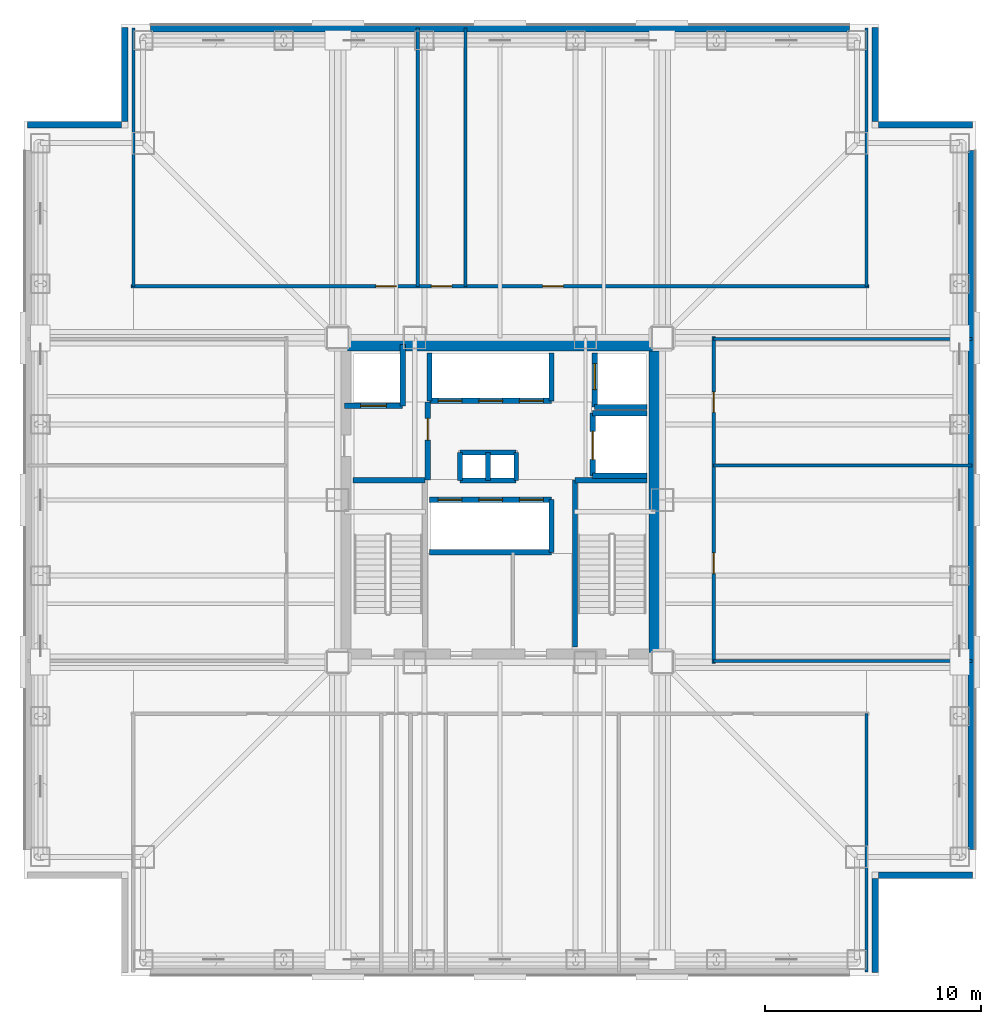
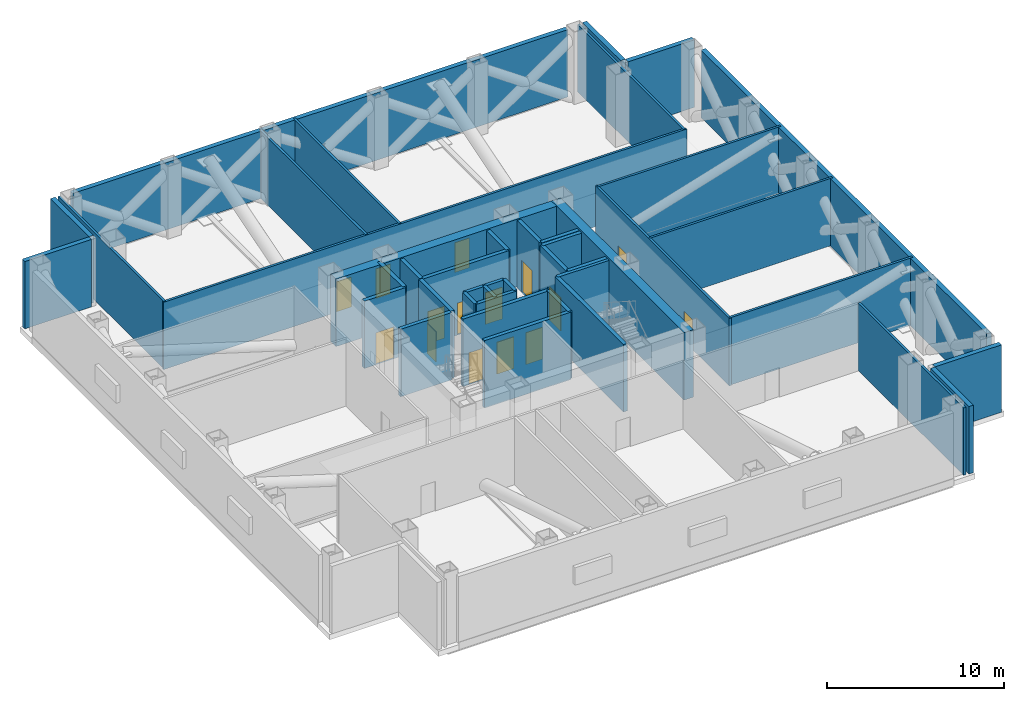
# One storey, part 4 of 8: 42 walls, 15 doors, 15 openings.
"""IFC4 building model written with IfcOpenShell, lengths in metres."""

from ifc_helpers import new_model, si_unit, direction, frame, frame_2d, origin, place, context, subcontext, project, spatial, rectangle, extrude, material, layer, layer_set, type_object, element, fill, save


model = new_model("IFC4")

# Units and contexts
model_context = context("Model", 3, precision=1e-05, world=origin(), true_north=direction((0.0, 1.0)))
body_context = subcontext(model_context, "Body", "Model", "MODEL_VIEW")
ifc_project = project(units=[si_unit("LENGTHUNIT", "METRE"), si_unit("AREAUNIT", "SQUARE_METRE"), si_unit("VOLUMEUNIT", "CUBIC_METRE"), si_unit("PLANEANGLEUNIT", "RADIAN"), si_unit("MASSUNIT", "GRAM", prefix="KILO")], contexts=[model_context])

# Site, building, storey
site_placement = place(None, origin())
site = spatial("IfcSite", under=ifc_project, at=site_placement, CompositionType="ELEMENT")
building_placement = place(site_placement, origin())
building = spatial("IfcBuilding", under=site, at=building_placement, Name="Trevonay Congress Spire", CompositionType="ELEMENT")
storey_placement = place(building_placement, frame((0.0, 0.0, 155.199951171875)))
storey = spatial("IfcBuildingStorey", under=building, at=storey_placement, Name="L40", CompositionType="ELEMENT", Elevation=155.199951171875)

# Walls
ifc_material_1 = material(Name="Concrete C60/75", Category="concrete")
ifc_layer_1 = layer(ifc_material_1, 0.60009765625, Name="Concrete C60/75")
ifc_layer_set_1 = layer_set([ifc_layer_1], Name="Concrete C60/75")
wall_type_1 = type_object("IfcWallType", Name="WAL-CORE-600", PredefinedType="SHEAR", material=ifc_layer_set_1)
for number, where, z_axis, x_axis, name in (
    (1, (-7.5, 7.199951171875, 0.0), (0.0, 0.0, 1.0), (1.0, 0.0, 0.0), "L40 North structural core shear wall"),
    (2, (7.199951171875, -7.5, 0.0), (0.0, 0.0, 1.0), (0.0, 1.0, 0.0), "L40 East structural core shear wall"),
):
    element("IfcWall", number, at=place(storey_placement, frame(where, z_axis=z_axis, x_axis=x_axis)), inside=storey, type_object=wall_type_1, Name=name, PredefinedType="SHEAR", context=body_context, shape_type="SweptSolid", body=[
        extrude(rectangle(XDim=15.0, YDim=0.60009765625, at=frame_2d((7.5, 0.0))), origin(), (0.0, 0.0, 1.0), 4.650146484375),
    ])

# Wall, openings, doors
ifc_material_2 = material(Name="Concrete C40/50", Category="concrete")
ifc_layer_2 = layer(ifc_material_2, 0.14990234375, Name="Concrete C40/50")
ifc_layer_set_2 = layer_set([ifc_layer_2], Name="Concrete C40/50")
wall_type_2 = type_object("IfcWallType", Name="WAL-CORR-150", PredefinedType="PARTITIONING", material=ifc_layer_set_2)
wall_1_placement = place(storey_placement, frame((-17.070068359375, 9.8798828125, 0.0), z_axis=(0.0, 0.0, 1.0), x_axis=(1.0, 0.0, 0.0)))
wall_1 = element("IfcWall", 3, at=wall_1_placement, inside=storey, type_object=wall_type_2, Name="L40 interior wall WP-L40N-COR", PredefinedType="PARTITIONING", context=body_context, shape_type="SweptSolid", body=[
    extrude(rectangle(XDim=34.14013671875, YDim=0.14990234375, at=frame_2d((17.070068359375, 0.0))), origin(), (0.0, 0.0, 1.0), 4.650146484375),
])
opening_1_placement = place(wall_1_placement, frame((11.324951171875, 0.0, 0.0)))
opening_1 = element("IfcOpeningElement", 4, at=opening_1_placement, cuts=wall_1, Name="Opening D07", PredefinedType="OPENING", context=body_context, shape_type="SweptSolid", body=[
    extrude(rectangle(XDim=0.949951171875, YDim=2.06005859375, at=frame_2d((0.47509765625, 1.030029296875))), frame((0.0, 0.0849609375, 0.0), z_axis=(0.0, -1.0, 0.0), x_axis=(1.0, 0.0, 0.0)), (0.0, 0.0, 1.0), 0.169921875),
])
opening_2_placement = place(wall_1_placement, frame((13.89501953125, 0.0, 0.0)))
opening_2 = element("IfcOpeningElement", 5, at=opening_2_placement, cuts=wall_1, Name="Opening D07", PredefinedType="OPENING", context=body_context, shape_type="SweptSolid", body=[
    extrude(rectangle(XDim=0.949951171875, YDim=2.06005859375, at=frame_2d((0.47509765625, 1.030029296875))), frame((0.0, 0.0849609375, 0.0), z_axis=(0.0, -1.0, 0.0), x_axis=(1.0, 0.0, 0.0)), (0.0, 0.0, 1.0), 0.169921875),
])
opening_3_placement = place(wall_1_placement, frame((19.044921875, 0.0, 0.0)))
opening_3 = element("IfcOpeningElement", 6, at=opening_3_placement, cuts=wall_1, Name="Opening D07", PredefinedType="OPENING", context=body_context, shape_type="SweptSolid", body=[
    extrude(rectangle(XDim=0.949951171875, YDim=2.06005859375, at=frame_2d((0.47509765625, 1.030029296875))), frame((0.0, 0.0849609375, 0.0), z_axis=(0.0, -1.0, 0.0), x_axis=(1.0, 0.0, 0.0)), (0.0, 0.0, 1.0), 0.169921875),
])
ifc_material_3 = material(Name="Pale Anodised Aluminium EN AW-6063-T6", Category="aluminium")
door_type_1 = type_object("IfcDoorType", Name="DOR-OFFICE-95", OperationType="NOTDEFINED", PredefinedType="DOOR", material=ifc_material_3)
door_1_placement = place(opening_1_placement, origin())
door_1 = element("IfcDoor", 7, at=door_1_placement, inside=storey, type_object=door_type_1, Name="L40 Electrical HV Transformer Room Door", OperationType="SINGLE_SWING_RIGHT", OverallHeight=2.06005859375, OverallWidth=0.949951171875, PredefinedType="DOOR", context=body_context, shape_type="SweptSolid", body=[
    extrude(rectangle(XDim=0.949951171875, YDim=2.06005859375, at=frame_2d((0.47509765625, 1.030029296875))), frame((0.0, 0.02490234375, 0.0), z_axis=(0.0, -1.0, 0.0), x_axis=(1.0, 0.0, 0.0)), (0.0, 0.0, 1.0), 0.050048828125),
])
fill(opening_1, door_1)
door_2_placement = place(opening_2_placement, origin())
door_2 = element("IfcDoor", 8, at=door_2_placement, inside=storey, type_object=door_type_1, Name="L40 Sprinkler Break-Tank and Pump Room Door", OperationType="SINGLE_SWING_LEFT", OverallHeight=2.06005859375, OverallWidth=0.949951171875, PredefinedType="DOOR", context=body_context, shape_type="SweptSolid", body=[
    extrude(rectangle(XDim=0.949951171875, YDim=2.06005859375, at=frame_2d((0.47509765625, 1.030029296875))), frame((0.0, 0.02490234375, 0.0), z_axis=(0.0, -1.0, 0.0), x_axis=(1.0, 0.0, 0.0)), (0.0, 0.0, 1.0), 0.050048828125),
])
fill(opening_2, door_2)
door_3_placement = place(opening_3_placement, origin())
door_3 = element("IfcDoor", 9, at=door_3_placement, inside=storey, type_object=door_type_1, Name="L40 Smoke Extract Plenum Room Door", OperationType="SINGLE_SWING_RIGHT", OverallHeight=2.06005859375, OverallWidth=0.949951171875, PredefinedType="DOOR", context=body_context, shape_type="SweptSolid", body=[
    extrude(rectangle(XDim=0.949951171875, YDim=2.06005859375, at=frame_2d((0.47509765625, 1.030029296875))), frame((0.0, 0.02490234375, 0.0), z_axis=(0.0, -1.0, 0.0), x_axis=(1.0, 0.0, 0.0)), (0.0, 0.0, 1.0), 0.050048828125),
])
fill(opening_3, door_3)

wall_2_placement = place(storey_placement, frame((9.8798828125, -7.570068359375, 0.0), z_axis=(0.0, 0.0, 1.0), x_axis=(0.0, 1.0, 0.0)))
wall_2 = element("IfcWall", 10, at=wall_2_placement, inside=storey, type_object=wall_type_2, Name="L40 interior wall WP-L40E-COR", PredefinedType="PARTITIONING", context=body_context, shape_type="SweptSolid", body=[
    extrude(rectangle(XDim=15.14013671875, YDim=0.14990234375, at=frame_2d((7.570068359375, 0.0))), origin(), (0.0, 0.0, 1.0), 4.650146484375),
])
opening_4_placement = place(wall_2_placement, frame((4.169921875, 0.0, 0.0)))
opening_4 = element("IfcOpeningElement", 11, at=opening_4_placement, cuts=wall_2, Name="Opening D07", PredefinedType="OPENING", context=body_context, shape_type="SweptSolid", body=[
    extrude(rectangle(XDim=0.949951171875, YDim=2.06005859375, at=frame_2d((0.47509765625, 1.030029296875))), frame((0.0, 0.0849609375, 0.0), z_axis=(0.0, -1.0, 0.0), x_axis=(1.0, 0.0, 0.0)), (0.0, 0.0, 1.0), 0.169921875),
])
opening_5_placement = place(wall_2_placement, frame((11.6201171875, 0.0, 0.0)))
opening_5 = element("IfcOpeningElement", 12, at=opening_5_placement, cuts=wall_2, Name="Opening D07", PredefinedType="OPENING", context=body_context, shape_type="SweptSolid", body=[
    extrude(rectangle(XDim=0.949951171875, YDim=2.06005859375, at=frame_2d((0.47509765625, 1.030029296875))), frame((0.0, 0.0849609375, 0.0), z_axis=(0.0, -1.0, 0.0), x_axis=(1.0, 0.0, 0.0)), (0.0, 0.0, 1.0), 0.169921875),
])
door_4_placement = place(opening_4_placement, origin())
door_4 = element("IfcDoor", 13, at=door_4_placement, inside=storey, type_object=door_type_1, Name="L40 Refuge Area East Door", OperationType="SINGLE_SWING_LEFT", OverallHeight=2.06005859375, OverallWidth=0.949951171875, PredefinedType="DOOR", context=body_context, shape_type="SweptSolid", body=[
    extrude(rectangle(XDim=0.949951171875, YDim=2.06005859375, at=frame_2d((0.47509765625, 1.030029296875))), frame((0.0, 0.02490234375, 0.0), z_axis=(0.0, -1.0, 0.0), x_axis=(1.0, 0.0, 0.0)), (0.0, 0.0, 1.0), 0.050048828125),
])
fill(opening_4, door_4)
door_5_placement = place(opening_5_placement, origin())
door_5 = element("IfcDoor", 14, at=door_5_placement, inside=storey, type_object=door_type_1, Name="L40 Domestic Water Booster Room Door", OperationType="SINGLE_SWING_RIGHT", OverallHeight=2.06005859375, OverallWidth=0.949951171875, PredefinedType="DOOR", context=body_context, shape_type="SweptSolid", body=[
    extrude(rectangle(XDim=0.949951171875, YDim=2.06005859375, at=frame_2d((0.47509765625, 1.030029296875))), frame((0.0, 0.02490234375, 0.0), z_axis=(0.0, -1.0, 0.0), x_axis=(1.0, 0.0, 0.0)), (0.0, 0.0, 1.0), 0.050048828125),
])
fill(opening_5, door_5)

# Walls
ifc_material_4 = material(Name="Precast concrete C40/50", Category="concrete")
ifc_layer_3 = layer(ifc_material_4, 0.300048828125, Name="Precast concrete C40/50")
ifc_layer_set_3 = layer_set([ifc_layer_3], Name="Precast concrete C40/50")
wall_type_3 = type_object("IfcWallType", Name="WAL-EXT-PRECAST-300", PredefinedType="SOLIDWALL", material=ifc_layer_set_3)
for number, where, z_axis, x_axis, name in (
    (15, (-16.14990234375, 21.800048828125, 0.0), (0.0, 0.0, 1.0), (1.0, 0.0, 0.0), "L40 N outrigger plant backup wall"),
    (16, (21.800048828125, -16.14990234375, 0.0), (0.0, 0.0, 1.0), (0.0, 1.0, 0.0), "L40 E outrigger plant backup wall"),
):
    element("IfcWall", number, at=place(storey_placement, frame(where, z_axis=z_axis, x_axis=x_axis)), inside=storey, type_object=wall_type_3, Name=name, PredefinedType="SOLIDWALL", context=body_context, shape_type="SweptSolid", body=[
        extrude(rectangle(XDim=32.2998046875, YDim=0.300048828125, at=frame_2d((16.14990234375, 0.0))), origin(), (0.0, 0.0, 1.0), 4.650146484375),
    ])
for number, where, z_axis, x_axis, name in (
    (17, (17.35009765625, -21.85009765625, 0.0), (0.0, 0.0, 1.0), (0.0, 1.0, 0.0), "L40 SE plant notch wall 1"),
    (18, (21.85009765625, -17.35009765625, 0.0), (0.0, 0.0, 1.0), (-1.0, 0.0, 0.0), "L40 SE plant notch wall 2"),
    (19, (17.35009765625, 21.85009765625, 0.0), (0.0, 0.0, 1.0), (0.0, -1.0, 0.0), "L40 NE plant notch wall 1"),
    (20, (21.85009765625, 17.35009765625, 0.0), (0.0, 0.0, 1.0), (-1.0, 0.0, 0.0), "L40 NE plant notch wall 2"),
    (21, (-17.35009765625, 21.85009765625, 0.0), (0.0, 0.0, 1.0), (0.0, -1.0, 0.0), "L40 NW plant notch wall 1"),
    (22, (-21.85009765625, 17.35009765625, 0.0), (0.0, 0.0, 1.0), (1.0, 0.0, 0.0), "L40 NW plant notch wall 2"),
):
    element("IfcWall", number, at=place(storey_placement, frame(where, z_axis=z_axis, x_axis=x_axis)), inside=storey, type_object=wall_type_3, Name=name, PredefinedType="SOLIDWALL", context=body_context, shape_type="SweptSolid", body=[
        extrude(rectangle(XDim=4.35009765625, YDim=0.300048828125, at=frame_2d((2.175048828125, 0.0))), origin(), (0.0, 0.0, 1.0), 4.650146484375),
    ])
ifc_layer_4 = layer(ifc_material_2, 0.14990234375, Name="Concrete C40/50")
ifc_layer_set_4 = layer_set([ifc_layer_4], Name="Concrete C40/50")
wall_type_4 = type_object("IfcWallType", Name="WAL-PART-150", PredefinedType="PARTITIONING", material=ifc_layer_set_4)
for number, where, z_axis, x_axis, name in (
    (23, (16.949951171875, -21.820068359375, 0.0), (0.0, 0.0, 1.0), (0.0, 1.0, 0.0), "L40 interior wall WP-L40S-DIV5"),
    (24, (-16.949951171875, 9.8798828125, 0.0), (0.0, 0.0, 1.0), (0.0, 1.0, 0.0), "L40 interior wall WP-L40N-DIV1"),
    (25, (-3.800048828125, 9.8798828125, 0.0), (0.0, 0.0, 1.0), (0.0, 1.0, 0.0), "L40 interior wall WP-L40N-DIV2"),
    (26, (-1.60009765625, 9.8798828125, 0.0), (0.0, 0.0, 1.0), (0.0, 1.0, 0.0), "L40 interior wall WP-L40N-DIV3"),
    (27, (16.949951171875, 9.8798828125, 0.0), (0.0, 0.0, 1.0), (0.0, 1.0, 0.0), "L40 interior wall WP-L40N-DIV4"),
    (28, (9.8798828125, -7.449951171875, 0.0), (0.0, 0.0, 1.0), (1.0, 0.0, 0.0), "L40 interior wall WP-L40E-DIV1"),
    (29, (9.8798828125, 1.60009765625, 0.0), (0.0, 0.0, 1.0), (1.0, 0.0, 0.0), "L40 interior wall WP-L40E-DIV2"),
    (30, (9.8798828125, 7.449951171875, 0.0), (0.0, 0.0, 1.0), (1.0, 0.0, 0.0), "L40 interior wall WP-L40E-DIV3"),
):
    element("IfcWall", number, at=place(storey_placement, frame(where, z_axis=z_axis, x_axis=x_axis)), inside=storey, type_object=wall_type_4, Name=name, PredefinedType="PARTITIONING", context=body_context, shape_type="SweptSolid", body=[
        extrude(rectangle(XDim=11.940185546875, YDim=0.14990234375, at=frame_2d((5.97021484375, 0.0))), origin(), (0.0, 0.0, 1.0), 4.650146484375),
    ])
ifc_layer_5 = layer(ifc_material_2, 0.219970703125, Name="Concrete C40/50")
ifc_layer_set_5 = layer_set([ifc_layer_5], Name="Concrete C40/50")
wall_type_5 = type_object("IfcWallType", Name="WAL-SHAFT-220", PredefinedType="PARTITIONING", material=ifc_layer_set_5)
for number, where, z_axis, x_axis, name in (
    (31, (-1.85009765625, 2.199951171875, 0.0), (0.0, 0.0, 1.0), (1.0, 0.0, 0.0), "L40 interior shaft wall WSH-L40-RSR-N"),
    (32, (-1.85009765625, 0.89990234375, 0.0), (0.0, 0.0, 1.0), (1.0, 0.0, 0.0), "L40 interior shaft wall WSH-L40-RSR-S"),
):
    element("IfcWall", number, at=place(storey_placement, frame(where, z_axis=z_axis, x_axis=x_axis)), inside=storey, type_object=wall_type_5, Name=name, PredefinedType="PARTITIONING", context=body_context, shape_type="SweptSolid", body=[
        extrude(rectangle(XDim=2.60009765625, YDim=0.219970703125, at=frame_2d((1.300048828125, 0.0))), origin(), (0.0, 0.0, 1.0), 4.650146484375),
    ])
for number, where, z_axis, x_axis, name in (
    (33, (-0.550048828125, 0.89990234375, 0.0), (0.0, 0.0, 1.0), (0.0, 1.0, 0.0), "L40 interior shaft wall WSH-L40-RSR-M"),
    (34, (0.75, 0.89990234375, 0.0), (0.0, 0.0, 1.0), (0.0, 1.0, 0.0), "L40 interior shaft wall WSH-L40-RSR-E"),
    (35, (-1.85009765625, 0.89990234375, 0.0), (0.0, 0.0, 1.0), (0.0, 1.0, 0.0), "L40 interior shaft wall WSH-L40-RSR-W"),
):
    element("IfcWall", number, at=place(storey_placement, frame(where, z_axis=z_axis, x_axis=x_axis)), inside=storey, type_object=wall_type_5, Name=name, PredefinedType="PARTITIONING", context=body_context, shape_type="SweptSolid", body=[
        extrude(rectangle(XDim=1.300048828125, YDim=0.219970703125, at=frame_2d((0.64990234375, 0.0))), origin(), (0.0, 0.0, 1.0), 4.650146484375),
    ])

# Wall, openings, doors
ifc_layer_6 = layer(ifc_material_2, 0.25, Name="Concrete C40/50")
ifc_layer_set_6 = layer_set([ifc_layer_6], Name="Concrete C40/50")
wall_type_6 = type_object("IfcWallType", Name="WAL-SHAFT-250", PredefinedType="SHEAR", material=ifc_layer_set_6)
wall_3_placement = place(storey_placement, frame((-3.260009765625, 0.02001953125, 0.0), z_axis=(0.0, 0.0, 1.0), x_axis=(1.0, 0.0, 0.0)))
wall_3 = element("IfcWall", 36, at=wall_3_placement, inside=storey, type_object=wall_type_6, Name="L40 interior shaft wall WSH-L40-B2-N", PredefinedType="SHEAR", context=body_context, shape_type="SweptSolid", body=[
    extrude(rectangle(XDim=5.639892578125, YDim=0.25, at=frame_2d((2.81982421875, 0.0))), origin(), (0.0, 0.0, 1.0), 4.650146484375),
])
opening_6_placement = place(wall_3_placement, frame((0.39990234375, 0.0, 0.0)))
opening_6 = element("IfcOpeningElement", 37, at=opening_6_placement, cuts=wall_3, Name="Opening LD02", PredefinedType="OPENING", context=body_context, shape_type="SweptSolid", body=[
    extrude(rectangle(XDim=1.10009765625, YDim=2.199951171875, at=frame_2d((0.550048828125, 1.10009765625))), frame((0.0, 0.135009765625, 0.0), z_axis=(0.0, -1.0, 0.0), x_axis=(1.0, 0.0, 0.0)), (0.0, 0.0, 1.0), 0.27001953125),
])
opening_7_placement = place(wall_3_placement, frame((2.280029296875, 0.0, 0.0)))
opening_7 = element("IfcOpeningElement", 38, at=opening_7_placement, cuts=wall_3, Name="Opening LD02", PredefinedType="OPENING", context=body_context, shape_type="SweptSolid", body=[
    extrude(rectangle(XDim=1.10009765625, YDim=2.199951171875, at=frame_2d((0.550048828125, 1.10009765625))), frame((0.0, 0.135009765625, 0.0), z_axis=(0.0, -1.0, 0.0), x_axis=(1.0, 0.0, 0.0)), (0.0, 0.0, 1.0), 0.27001953125),
])
opening_8_placement = place(wall_3_placement, frame((4.159912109375, 0.0, 0.0)))
opening_8 = element("IfcOpeningElement", 39, at=opening_8_placement, cuts=wall_3, Name="Opening LD02", PredefinedType="OPENING", context=body_context, shape_type="SweptSolid", body=[
    extrude(rectangle(XDim=1.10009765625, YDim=2.199951171875, at=frame_2d((0.550048828125, 1.10009765625))), frame((0.0, 0.135009765625, 0.0), z_axis=(0.0, -1.0, 0.0), x_axis=(1.0, 0.0, 0.0)), (0.0, 0.0, 1.0), 0.27001953125),
])
door_type_2 = type_object("IfcDoorType", Name="DOR-LIFT-LD02", OperationType="DOUBLE_DOOR_SLIDING", PredefinedType="DOOR", material=ifc_material_3)
door_6_placement = place(opening_6_placement, origin())
door_6 = element("IfcDoor", 40, at=door_6_placement, inside=storey, type_object=door_type_2, Name="L40 Passenger lift PL-04 landing door", OperationType="DOUBLE_DOOR_SLIDING", OverallHeight=2.199951171875, OverallWidth=1.10009765625, PredefinedType="DOOR", context=body_context, shape_type="SweptSolid", body=[
    extrude(rectangle(XDim=1.10009765625, YDim=2.199951171875, at=frame_2d((0.550048828125, 1.10009765625))), frame((0.0, 0.02490234375, 0.0), z_axis=(0.0, -1.0, 0.0), x_axis=(1.0, 0.0, 0.0)), (0.0, 0.0, 1.0), 0.050048828125),
])
fill(opening_6, door_6)
door_7_placement = place(opening_7_placement, origin())
door_7 = element("IfcDoor", 41, at=door_7_placement, inside=storey, type_object=door_type_2, Name="L40 Passenger lift PL-05 landing door", OperationType="DOUBLE_DOOR_SLIDING", OverallHeight=2.199951171875, OverallWidth=1.10009765625, PredefinedType="DOOR", context=body_context, shape_type="SweptSolid", body=[
    extrude(rectangle(XDim=1.10009765625, YDim=2.199951171875, at=frame_2d((0.550048828125, 1.10009765625))), frame((0.0, 0.02490234375, 0.0), z_axis=(0.0, -1.0, 0.0), x_axis=(1.0, 0.0, 0.0)), (0.0, 0.0, 1.0), 0.050048828125),
])
fill(opening_7, door_7)
door_8_placement = place(opening_8_placement, origin())
door_8 = element("IfcDoor", 42, at=door_8_placement, inside=storey, type_object=door_type_2, Name="L40 Passenger lift PL-06 landing door", OperationType="DOUBLE_DOOR_SLIDING", OverallHeight=2.199951171875, OverallWidth=1.10009765625, PredefinedType="DOOR", context=body_context, shape_type="SweptSolid", body=[
    extrude(rectangle(XDim=1.10009765625, YDim=2.199951171875, at=frame_2d((0.550048828125, 1.10009765625))), frame((0.0, 0.02490234375, 0.0), z_axis=(0.0, -1.0, 0.0), x_axis=(1.0, 0.0, 0.0)), (0.0, 0.0, 1.0), 0.050048828125),
])
fill(opening_8, door_8)

# Walls
wall_4_placement = place(storey_placement, frame((-3.260009765625, -2.419921875, 0.0), z_axis=(0.0, 0.0, 1.0), x_axis=(1.0, 0.0, 0.0)))
element("IfcWall", 43, at=wall_4_placement, inside=storey, type_object=wall_type_6, Name="L40 interior shaft wall WSH-L40-B2-S", PredefinedType="SHEAR", context=body_context, shape_type="SweptSolid", body=[
    extrude(rectangle(XDim=5.639892578125, YDim=0.25, at=frame_2d((2.81982421875, 0.0))), origin(), (0.0, 0.0, 1.0), 4.650146484375),
])
wall_5_placement = place(storey_placement, frame((2.3798828125, -2.419921875, 0.0), z_axis=(0.0, 0.0, 1.0), x_axis=(0.0, 1.0, 0.0)))
element("IfcWall", 44, at=wall_5_placement, inside=storey, type_object=wall_type_6, Name="L40 interior shaft wall WSH-L40-B2-E", PredefinedType="SHEAR", context=body_context, shape_type="SweptSolid", body=[
    extrude(rectangle(XDim=2.43994140625, YDim=0.25, at=frame_2d((1.219970703125, 0.0))), origin(), (0.0, 0.0, 1.0), 4.650146484375),
])

# Wall, openings, doors
wall_6_placement = place(storey_placement, frame((-3.260009765625, 4.580078125, 0.0), z_axis=(0.0, 0.0, 1.0), x_axis=(1.0, 0.0, 0.0)))
wall_6 = element("IfcWall", 45, at=wall_6_placement, inside=storey, type_object=wall_type_6, Name="L40 interior shaft wall WSH-L40-B3-S", PredefinedType="SHEAR", context=body_context, shape_type="SweptSolid", body=[
    extrude(rectangle(XDim=5.639892578125, YDim=0.25, at=frame_2d((2.81982421875, 0.0))), origin(), (0.0, 0.0, 1.0), 4.650146484375),
])
opening_9_placement = place(wall_6_placement, frame((0.39990234375, 0.0, 0.0)))
opening_9 = element("IfcOpeningElement", 46, at=opening_9_placement, cuts=wall_6, Name="Opening LD03", PredefinedType="OPENING", context=body_context, shape_type="SweptSolid", body=[
    extrude(rectangle(XDim=1.10009765625, YDim=2.199951171875, at=frame_2d((0.550048828125, 1.10009765625))), frame((0.0, 0.135009765625, 0.0), z_axis=(0.0, -1.0, 0.0), x_axis=(1.0, 0.0, 0.0)), (0.0, 0.0, 1.0), 0.27001953125),
])
opening_10_placement = place(wall_6_placement, frame((2.280029296875, 0.0, 0.0)))
opening_10 = element("IfcOpeningElement", 47, at=opening_10_placement, cuts=wall_6, Name="Opening LD03", PredefinedType="OPENING", context=body_context, shape_type="SweptSolid", body=[
    extrude(rectangle(XDim=1.10009765625, YDim=2.199951171875, at=frame_2d((0.550048828125, 1.10009765625))), frame((0.0, 0.135009765625, 0.0), z_axis=(0.0, -1.0, 0.0), x_axis=(1.0, 0.0, 0.0)), (0.0, 0.0, 1.0), 0.27001953125),
])
opening_11_placement = place(wall_6_placement, frame((4.159912109375, 0.0, 0.0)))
opening_11 = element("IfcOpeningElement", 48, at=opening_11_placement, cuts=wall_6, Name="Opening LD03", PredefinedType="OPENING", context=body_context, shape_type="SweptSolid", body=[
    extrude(rectangle(XDim=1.10009765625, YDim=2.199951171875, at=frame_2d((0.550048828125, 1.10009765625))), frame((0.0, 0.135009765625, 0.0), z_axis=(0.0, -1.0, 0.0), x_axis=(1.0, 0.0, 0.0)), (0.0, 0.0, 1.0), 0.27001953125),
])
door_type_3 = type_object("IfcDoorType", Name="DOR-LIFT-LD03", OperationType="DOUBLE_DOOR_SLIDING", PredefinedType="DOOR", material=ifc_material_3)
door_9_placement = place(opening_9_placement, origin())
door_9 = element("IfcDoor", 49, at=door_9_placement, inside=storey, type_object=door_type_3, Name="L40 Passenger lift PL-07 landing door", OperationType="DOUBLE_DOOR_SLIDING", OverallHeight=2.199951171875, OverallWidth=1.10009765625, PredefinedType="DOOR", context=body_context, shape_type="SweptSolid", body=[
    extrude(rectangle(XDim=1.10009765625, YDim=2.199951171875, at=frame_2d((0.550048828125, 1.10009765625))), frame((0.0, 0.02490234375, 0.0), z_axis=(0.0, -1.0, 0.0), x_axis=(1.0, 0.0, 0.0)), (0.0, 0.0, 1.0), 0.050048828125),
])
fill(opening_9, door_9)
door_10_placement = place(opening_10_placement, origin())
door_10 = element("IfcDoor", 50, at=door_10_placement, inside=storey, type_object=door_type_3, Name="L40 Passenger lift PL-08 landing door", OperationType="DOUBLE_DOOR_SLIDING", OverallHeight=2.199951171875, OverallWidth=1.10009765625, PredefinedType="DOOR", context=body_context, shape_type="SweptSolid", body=[
    extrude(rectangle(XDim=1.10009765625, YDim=2.199951171875, at=frame_2d((0.550048828125, 1.10009765625))), frame((0.0, 0.02490234375, 0.0), z_axis=(0.0, -1.0, 0.0), x_axis=(1.0, 0.0, 0.0)), (0.0, 0.0, 1.0), 0.050048828125),
])
fill(opening_10, door_10)
door_11_placement = place(opening_11_placement, origin())
door_11 = element("IfcDoor", 51, at=door_11_placement, inside=storey, type_object=door_type_3, Name="L40 Passenger lift PL-09 landing door", OperationType="DOUBLE_DOOR_SLIDING", OverallHeight=2.199951171875, OverallWidth=1.10009765625, PredefinedType="DOOR", context=body_context, shape_type="SweptSolid", body=[
    extrude(rectangle(XDim=1.10009765625, YDim=2.199951171875, at=frame_2d((0.550048828125, 1.10009765625))), frame((0.0, 0.02490234375, 0.0), z_axis=(0.0, -1.0, 0.0), x_axis=(1.0, 0.0, 0.0)), (0.0, 0.0, 1.0), 0.050048828125),
])
fill(opening_11, door_11)

# Walls
for number, where, z_axis, x_axis, name in (
    (52, (-3.260009765625, 4.580078125, 0.0), (0.0, 0.0, 1.0), (0.0, 1.0, 0.0), "L40 interior shaft wall WSH-L40-B3-W"),
    (53, (2.3798828125, 4.580078125, 0.0), (0.0, 0.0, 1.0), (0.0, 1.0, 0.0), "L40 interior shaft wall WSH-L40-B3-E"),
):
    element("IfcWall", number, at=place(storey_placement, frame(where, z_axis=z_axis, x_axis=x_axis)), inside=storey, type_object=wall_type_6, Name=name, PredefinedType="SHEAR", context=body_context, shape_type="SweptSolid", body=[
        extrude(rectangle(XDim=2.219970703125, YDim=0.25, at=frame_2d((1.10986328125, 0.0))), origin(), (0.0, 0.0, 1.0), 4.650146484375),
    ])

# Wall, opening, door
wall_7_placement = place(storey_placement, frame((-7.199951171875, 4.35009765625, 0.0), z_axis=(0.0, 0.0, 1.0), x_axis=(1.0, 0.0, 0.0)))
wall_7 = element("IfcWall", 54, at=wall_7_placement, inside=storey, type_object=wall_type_6, Name="L40 interior shaft wall WSH-L40-FF1-S", PredefinedType="SHEAR", context=body_context, shape_type="SweptSolid", body=[
    extrude(rectangle(XDim=2.699951171875, YDim=0.25, at=frame_2d((1.35009765625, 0.0))), origin(), (0.0, 0.0, 1.0), 4.650146484375),
])
opening_12_placement = place(wall_7_placement, frame((0.75, 0.0, 0.0)))
opening_12 = element("IfcOpeningElement", 55, at=opening_12_placement, cuts=wall_7, Name="Opening LD04", PredefinedType="OPENING", context=body_context, shape_type="SweptSolid", body=[
    extrude(rectangle(XDim=1.199951171875, YDim=2.199951171875, at=frame_2d((0.60009765625, 1.10009765625))), frame((0.0, 0.135009765625, 0.0), z_axis=(0.0, -1.0, 0.0), x_axis=(1.0, 0.0, 0.0)), (0.0, 0.0, 1.0), 0.27001953125),
])
ifc_material_5 = material(Name="Steel ASTM A572 Grade 50", Category="steel")
door_type_4 = type_object("IfcDoorType", Name="DOR-LIFT-LD04", OperationType="DOUBLE_DOOR_SLIDING", PredefinedType="DOOR", material=ifc_material_5)
door_12_placement = place(opening_12_placement, origin())
door_12 = element("IfcDoor", 56, at=door_12_placement, inside=storey, type_object=door_type_4, Name="L40 Firefighting lift FFL-01 landing door", OperationType="DOUBLE_DOOR_SLIDING", OverallHeight=2.199951171875, OverallWidth=1.199951171875, PredefinedType="DOOR", context=body_context, shape_type="SweptSolid", body=[
    extrude(rectangle(XDim=1.199951171875, YDim=2.199951171875, at=frame_2d((0.60009765625, 1.10009765625))), frame((0.0, 0.02490234375, 0.0), z_axis=(0.0, -1.0, 0.0), x_axis=(1.0, 0.0, 0.0)), (0.0, 0.0, 1.0), 0.050048828125),
])
fill(opening_12, door_12)

# Walls
wall_8_placement = place(storey_placement, frame((-4.5, 4.35009765625, 0.0), z_axis=(0.0, 0.0, 1.0), x_axis=(0.0, 1.0, 0.0)))
element("IfcWall", 57, at=wall_8_placement, inside=storey, type_object=wall_type_6, Name="L40 interior shaft wall WSH-L40-FF1-E", PredefinedType="SHEAR", context=body_context, shape_type="SweptSolid", body=[
    extrude(rectangle(XDim=2.849853515625, YDim=0.25, at=frame_2d((1.4248046875, 0.0))), origin(), (0.0, 0.0, 1.0), 4.650146484375),
])
wall_9_placement = place(storey_placement, frame((4.3798828125, 4.300048828125, 0.0), z_axis=(0.0, 0.0, 1.0), x_axis=(1.0, 0.0, 0.0)))
element("IfcWall", 58, at=wall_9_placement, inside=storey, type_object=wall_type_6, Name="L40 interior shaft wall WSH-L40-FF2-S", PredefinedType="SHEAR", context=body_context, shape_type="SweptSolid", body=[
    extrude(rectangle(XDim=2.420166015625, YDim=0.25, at=frame_2d((1.2099609375, 0.0))), origin(), (0.0, 0.0, 1.0), 4.650146484375),
])

# Wall, opening, door
wall_10_placement = place(storey_placement, frame((4.3798828125, 4.300048828125, 0.0), z_axis=(0.0, 0.0, 1.0), x_axis=(0.0, 1.0, 0.0)))
wall_10 = element("IfcWall", 59, at=wall_10_placement, inside=storey, type_object=wall_type_6, Name="L40 interior shaft wall WSH-L40-FF2-W", PredefinedType="SHEAR", context=body_context, shape_type="SweptSolid", body=[
    extrude(rectangle(XDim=2.5, YDim=0.25, at=frame_2d((1.25, 0.0))), origin(), (0.0, 0.0, 1.0), 4.650146484375),
])
opening_13_placement = place(wall_10_placement, frame((0.800048828125, 0.0, 0.0)))
opening_13 = element("IfcOpeningElement", 60, at=opening_13_placement, cuts=wall_10, Name="Opening LD04", PredefinedType="OPENING", context=body_context, shape_type="SweptSolid", body=[
    extrude(rectangle(XDim=1.199951171875, YDim=2.199951171875, at=frame_2d((0.60009765625, 1.10009765625))), frame((0.0, 0.135009765625, 0.0), z_axis=(0.0, -1.0, 0.0), x_axis=(1.0, 0.0, 0.0)), (0.0, 0.0, 1.0), 0.27001953125),
])
door_13_placement = place(opening_13_placement, origin())
door_13 = element("IfcDoor", 61, at=door_13_placement, inside=storey, type_object=door_type_4, Name="L40 Firefighting lift FFL-02 landing door", OperationType="DOUBLE_DOOR_SLIDING", OverallHeight=2.199951171875, OverallWidth=1.199951171875, PredefinedType="DOOR", context=body_context, shape_type="SweptSolid", body=[
    extrude(rectangle(XDim=1.199951171875, YDim=2.199951171875, at=frame_2d((0.60009765625, 1.10009765625))), frame((0.0, 0.02490234375, 0.0), z_axis=(0.0, -1.0, 0.0), x_axis=(1.0, 0.0, 0.0)), (0.0, 0.0, 1.0), 0.050048828125),
])
fill(opening_13, door_13)

wall_11_placement = place(storey_placement, frame((4.280029296875, 1.1201171875, 0.0), z_axis=(0.0, 0.0, 1.0), x_axis=(0.0, 1.0, 0.0)))
wall_11 = element("IfcWall", 62, at=wall_11_placement, inside=storey, type_object=wall_type_6, Name="L40 interior shaft wall WSH-L40-SV-W", PredefinedType="SHEAR", context=body_context, shape_type="SweptSolid", body=[
    extrude(rectangle(XDim=2.89990234375, YDim=0.25, at=frame_2d((1.449951171875, 0.0))), origin(), (0.0, 0.0, 1.0), 4.650146484375),
])
opening_14_placement = place(wall_11_placement, frame((0.75, 0.0, 0.0)))
opening_14 = element("IfcOpeningElement", 63, at=opening_14_placement, cuts=wall_11, Name="Opening LD05", PredefinedType="OPENING", context=body_context, shape_type="SweptSolid", body=[
    extrude(rectangle(XDim=1.300048828125, YDim=2.300048828125, at=frame_2d((0.64990234375, 1.14990234375))), frame((0.0, 0.135009765625, 0.0), z_axis=(0.0, -1.0, 0.0), x_axis=(1.0, 0.0, 0.0)), (0.0, 0.0, 1.0), 0.27001953125),
])
door_type_5 = type_object("IfcDoorType", Name="DOR-LIFT-LD05", OperationType="DOUBLE_DOOR_SLIDING", PredefinedType="DOOR", material=ifc_material_5)
door_14_placement = place(opening_14_placement, origin())
door_14 = element("IfcDoor", 64, at=door_14_placement, inside=storey, type_object=door_type_5, Name="L40 Goods lift SVL-01 landing door", OperationType="DOUBLE_DOOR_SLIDING", OverallHeight=2.300048828125, OverallWidth=1.300048828125, PredefinedType="DOOR", context=body_context, shape_type="SweptSolid", body=[
    extrude(rectangle(XDim=1.300048828125, YDim=2.300048828125, at=frame_2d((0.64990234375, 1.14990234375))), frame((0.0, 0.02490234375, 0.0), z_axis=(0.0, -1.0, 0.0), x_axis=(1.0, 0.0, 0.0)), (0.0, 0.0, 1.0), 0.050048828125),
])
fill(opening_14, door_14)

# Walls
for number, where, z_axis, x_axis, name in (
    (65, (4.280029296875, 1.1201171875, 0.0), (0.0, 0.0, 1.0), (1.0, 0.0, 0.0), "L40 interior shaft wall WSH-L40-SV-S"),
    (66, (4.280029296875, 4.02001953125, 0.0), (0.0, 0.0, 1.0), (1.0, 0.0, 0.0), "L40 interior shaft wall WSH-L40-SV-N"),
):
    element("IfcWall", number, at=place(storey_placement, frame(where, z_axis=z_axis, x_axis=x_axis)), inside=storey, type_object=wall_type_6, Name=name, PredefinedType="SHEAR", context=body_context, shape_type="SweptSolid", body=[
        extrude(rectangle(XDim=2.52001953125, YDim=0.25, at=frame_2d((1.260009765625, 0.0))), origin(), (0.0, 0.0, 1.0), 4.650146484375),
    ])

# Wall, opening, door
wall_12_placement = place(storey_placement, frame((-3.35009765625, 0.919921875, 0.0), z_axis=(0.0, 0.0, 1.0), x_axis=(0.0, 1.0, 0.0)))
wall_12 = element("IfcWall", 67, at=wall_12_placement, inside=storey, type_object=wall_type_6, Name="L40 interior wall CW-FFLW-E-L40", PredefinedType="SHEAR", context=body_context, shape_type="SweptSolid", body=[
    extrude(rectangle(XDim=3.6201171875, YDim=0.25, at=frame_2d((1.81005859375, 0.0))), origin(), (0.0, 0.0, 1.0), 4.650146484375),
])
opening_15_placement = place(wall_12_placement, frame((1.85009765625, 0.0, 0.0)))
opening_15 = element("IfcOpeningElement", 68, at=opening_15_placement, cuts=wall_12, Name="Opening D06", PredefinedType="OPENING", context=body_context, shape_type="SweptSolid", body=[
    extrude(rectangle(XDim=1.0, YDim=2.080078125, at=frame_2d((0.5, 1.0400390625))), frame((0.0, 0.135009765625, 0.0), z_axis=(0.0, -1.0, 0.0), x_axis=(1.0, 0.0, 0.0)), (0.0, 0.0, 1.0), 0.27001953125),
])
door_type_6 = type_object("IfcDoorType", Name="DOR-FIRE-100", OperationType="NOTDEFINED", PredefinedType="DOOR", material=ifc_material_5)
door_15_placement = place(opening_15_placement, origin())
door_15 = element("IfcDoor", 69, at=door_15_placement, inside=storey, type_object=door_type_6, Name="L40 Firefighting Core Lobby Transfer Door", OperationType="SINGLE_SWING_RIGHT", OverallHeight=2.080078125, OverallWidth=1.0, PredefinedType="DOOR", context=body_context, shape_type="SweptSolid", body=[
    extrude(rectangle(XDim=1.0, YDim=2.080078125, at=frame_2d((0.5, 1.0400390625))), frame((0.0, 0.02490234375, 0.0), z_axis=(0.0, -1.0, 0.0), x_axis=(1.0, 0.0, 0.0)), (0.0, 0.0, 1.0), 0.050048828125),
])
fill(opening_15, door_15)

# Walls
ifc_layer_7 = layer(ifc_material_2, 0.25, Name="Concrete C40/50")
ifc_layer_set_7 = layer_set([ifc_layer_7], Name="Concrete C40/50")
wall_type_7 = type_object("IfcWallType", Name="WAL-SHAFT-LB-250", PredefinedType="SHEAR", material=ifc_layer_set_7)
wall_13_placement = place(storey_placement, frame((-6.800048828125, 0.919921875, 0.0), z_axis=(0.0, 0.0, 1.0), x_axis=(1.0, 0.0, 0.0)))
element("IfcWall", 70, at=wall_13_placement, inside=storey, type_object=wall_type_7, Name="L40 interior shaft wall WSH-L40-ST1-N", PredefinedType="SHEAR", context=body_context, shape_type="SweptSolid", body=[
    extrude(rectangle(XDim=3.330078125, YDim=0.25, at=frame_2d((1.6650390625, 0.0))), origin(), (0.0, 0.0, 1.0), 4.650146484375),
])
wall_14_placement = place(storey_placement, frame((3.469970703125, -6.800048828125, 0.0), z_axis=(0.0, 0.0, 1.0), x_axis=(0.0, 1.0, 0.0)))
element("IfcWall", 71, at=wall_14_placement, inside=storey, type_object=wall_type_7, Name="L40 interior shaft wall WSH-L40-ST2-W", PredefinedType="SHEAR", context=body_context, shape_type="SweptSolid", body=[
    extrude(rectangle(XDim=7.719970703125, YDim=0.25, at=frame_2d((3.85986328125, 0.0))), origin(), (0.0, 0.0, 1.0), 4.650146484375),
])
wall_15_placement = place(storey_placement, frame((3.469970703125, 0.919921875, 0.0), z_axis=(0.0, 0.0, 1.0), x_axis=(1.0, 0.0, 0.0)))
element("IfcWall", 72, at=wall_15_placement, inside=storey, type_object=wall_type_7, Name="L40 interior shaft wall WSH-L40-ST2-N", PredefinedType="SHEAR", context=body_context, shape_type="SweptSolid", body=[
    extrude(rectangle(XDim=3.330078125, YDim=0.25, at=frame_2d((1.6650390625, 0.0))), origin(), (0.0, 0.0, 1.0), 4.650146484375),
])

save(model, "model.ifc")
